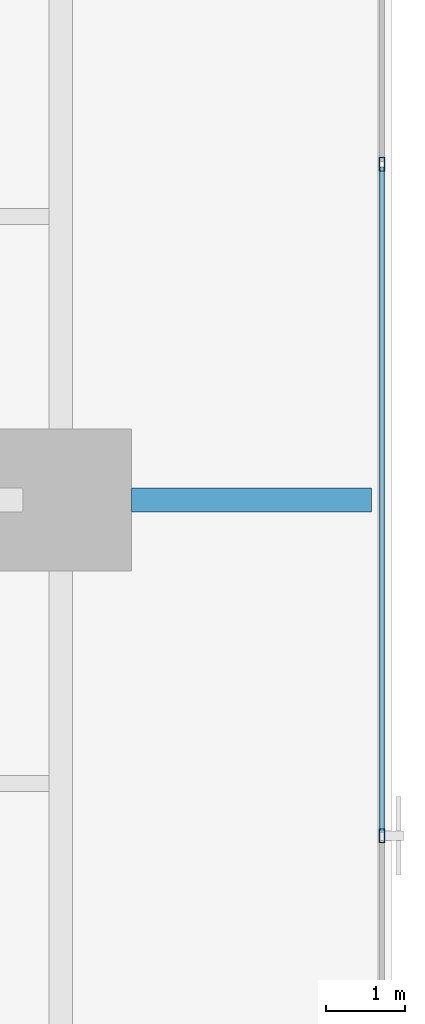
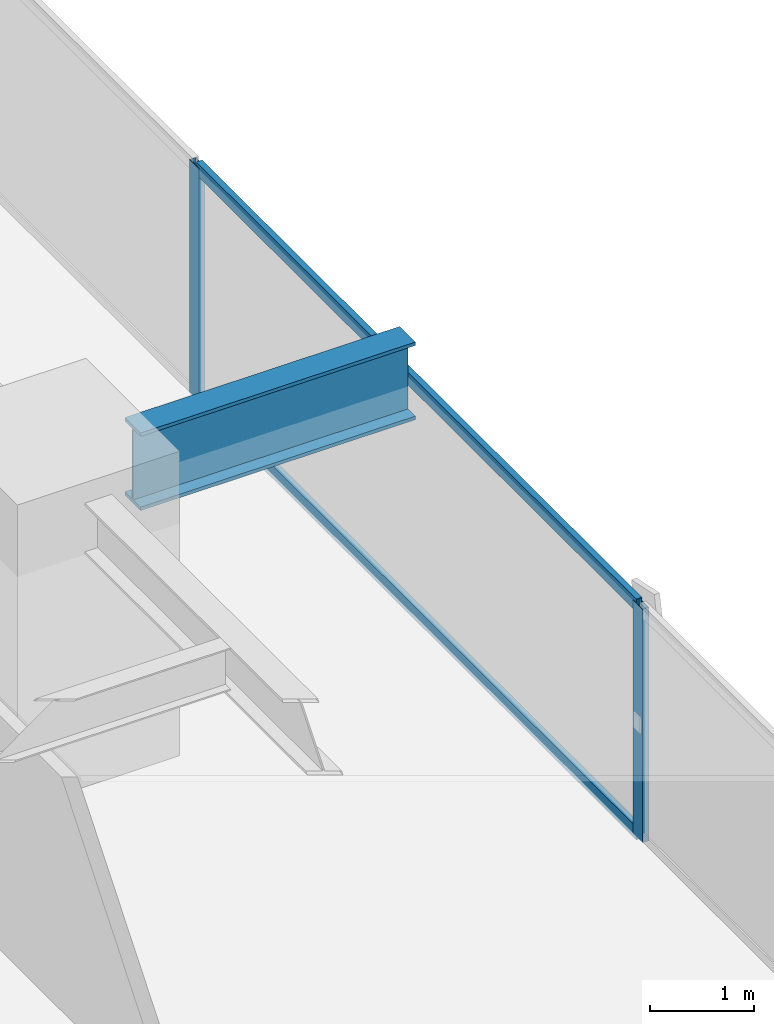
# One storey, part 15 of 34: 4 members, 1 beam, 1 element without a shape of its own.
"""IFC4 building model written with IfcOpenShell, lengths in metres."""

from ifc_helpers import new_model, si_unit, direction, frame, origin, origin_2d, place, context, subcontext, project, spatial, hollow_rectangle, i_section, extrude, source, transform, mapped, material, layer, layer_set, material_profile, profile_set, type_object, element, aggregate, save


model = new_model("IFC4")

# Units and contexts
model_context = context("Model", 3, precision=1e-05, world=origin(), true_north=direction((0.0, 1.0)))
body_context = subcontext(model_context, "Body", "Model", "MODEL_VIEW")
ifc_project = project(units=[si_unit("LENGTHUNIT", "METRE"), si_unit("AREAUNIT", "SQUARE_METRE"), si_unit("VOLUMEUNIT", "CUBIC_METRE"), si_unit("PLANEANGLEUNIT", "RADIAN"), si_unit("MASSUNIT", "GRAM", prefix="KILO")], contexts=[model_context])

# Site, building, storey
site_placement = place(None, origin())
site = spatial("IfcSite", under=ifc_project, at=site_placement, CompositionType="ELEMENT")
building_placement = place(site_placement, origin())
building = spatial("IfcBuilding", under=site, at=building_placement, Name="Sumidabori Civic Tower", CompositionType="ELEMENT")
storey_placement = place(building_placement, frame((0.0, 0.0, 41.60009765625)))
storey = spatial("IfcBuildingStorey", under=building, at=storey_placement, Name="L10", CompositionType="ELEMENT", Elevation=41.60009765625)

# Beam
ifc_material_1 = material(Name="Steel SN490", Category="steel")
ifc_material_profile_1 = material_profile(ifc_material_1, i_section(OverallWidth=0.302001953125, OverallDepth=0.909912109375, WebThickness=0.02099609375, FlangeThickness=0.0400390625, at=origin_2d()), Name="HE 900 M")
ifc_profile_set_1 = profile_set([ifc_material_profile_1], Name="Steel SN490")
beam_type = type_object("IfcBeamType", Name="BM-Z1-EDGE", PredefinedType="SPANDREL", material=ifc_profile_set_1)
shared_shape_1 = source(origin(), body_context, "Body", "SweptSolid", [
    extrude(i_section(OverallWidth=0.302001953125, OverallDepth=0.909912109375, WebThickness=0.02099609375, FlangeThickness=0.0400390625, at=origin_2d()), origin(), (0.0, 0.0, 1.0), 3.050048828125),
])
beam_placement = place(storey_placement, frame((23.699951171875, 0.0, 2.90478515625), z_axis=(1.0, 0.0, 0.0), x_axis=(0.0, 1.0, 0.0)))
element("IfcBeam", 1, at=beam_placement, inside=storey, type_object=beam_type, Name="Perimeter Overhang Beam L10 E-45", PredefinedType="SPANDREL", context=body_context, shape_type="MappedRepresentation", body=[
    mapped(shared_shape_1, transform((0.0, 0.0, 0.0), x_axis=(1.0, 0.0, 0.0), y_axis=(0.0, 1.0, 0.0), z_axis=(0.0, 0.0, 1.0), scale=1.0)),
])

# Curtain wall, members
ifc_material_2 = material(Name="Anodised Bronze Aluminium AW-6063-T6", Category="aluminium")
ifc_layer = layer(ifc_material_2, 0.179931640625, Name="Anodised Bronze Aluminium AW-6063-T6")
ifc_layer_set = layer_set([ifc_layer], Name="Anodised Bronze Aluminium AW-6063-T6")
curtain_wall_type = type_object("IfcCurtainWallType", Name="CW-SYS-2", PredefinedType="NOTDEFINED", material=ifc_layer_set)
curtain_wall_placement = place(storey_placement, origin())
curtain_wall = element("IfcCurtainWall", 2, at=curtain_wall_placement, inside=storey, type_object=curtain_wall_type, Name="Curtain Wall CW:L10:R04", PredefinedType="NOTDEFINED")
ifc_material_profile_2 = material_profile(ifc_material_2, hollow_rectangle(XDim=0.070068359375, YDim=0.179931640625, WallThickness=0.006103515625, at=origin_2d()), Name="ALU MULLION 180x70")
ifc_profile_set_2 = profile_set([ifc_material_profile_2], Name="Anodised Bronze Aluminium AW-6063-T6")
member_type_1 = type_object("IfcMemberType", Name="CW-MUL-180", PredefinedType="MULLION", material=ifc_profile_set_2)
shared_shape_2 = source(origin(), body_context, "Body", "SweptSolid", [
    extrude(hollow_rectangle(XDim=0.070068359375, YDim=0.179931640625, WallThickness=0.006103515625, at=origin_2d()), origin(), (0.0, 0.0, 1.0), 2.739990234375),
])
member_1_placement = place(storey_placement, frame((26.8798828125, -4.263916015625, 0.0), z_axis=(0.0, 0.0, 1.0), x_axis=(-1.0, 0.0, 0.0)))
member_1 = element("IfcMember", 3, at=member_1_placement, type_object=member_type_1, Name="CW-2 mullion 3", PredefinedType="MULLION", context=body_context, shape_type="MappedRepresentation", body=[
    mapped(shared_shape_2, transform((0.0, 0.0, 0.0), x_axis=(1.0, 0.0, 0.0), y_axis=(0.0, 1.0, 0.0), z_axis=(0.0, 0.0, 1.0), scale=1.0)),
])
member_2_placement = place(storey_placement, frame((26.8798828125, 4.263916015625, 0.0), z_axis=(0.0, 0.0, 1.0), x_axis=(-1.0, 0.0, 0.0)))
member_2 = element("IfcMember", 4, at=member_2_placement, type_object=member_type_1, Name="CW-2 mullion 4", PredefinedType="MULLION", context=body_context, shape_type="MappedRepresentation", body=[
    mapped(shared_shape_2, transform((0.0, 0.0, 0.0), x_axis=(1.0, 0.0, 0.0), y_axis=(0.0, 1.0, 0.0), z_axis=(0.0, 0.0, 1.0), scale=1.0)),
])
ifc_material_profile_3 = material_profile(ifc_material_2, hollow_rectangle(XDim=0.06494140625, YDim=0.14990234375, WallThickness=0.0048828125, at=origin_2d()), Name="ALU TRANSOM 150x65")
ifc_profile_set_3 = profile_set([ifc_material_profile_3], Name="Anodised Bronze Aluminium AW-6063-T6")
member_type_2 = type_object("IfcMemberType", Name="CW-TRN-150", PredefinedType="USERDEFINED", material=ifc_profile_set_3)
shared_shape_3 = source(origin(), body_context, "Body", "SweptSolid", [
    extrude(hollow_rectangle(XDim=0.06494140625, YDim=0.14990234375, WallThickness=0.0048828125, at=origin_2d()), origin(), (0.0, 0.0, 1.0), 8.4580078125),
])
member_3_placement = place(storey_placement, frame((26.8798828125, -4.22900390625, 0.032470703125), z_axis=(0.0, 1.0, 0.0), x_axis=(-1.0, 0.0, 0.0)))
member_3 = element("IfcMember", 5, at=member_3_placement, type_object=member_type_2, Name="CW-2 transom 3.1", ObjectType="TRANSOM", PredefinedType="USERDEFINED", context=body_context, shape_type="MappedRepresentation", body=[
    mapped(shared_shape_3, transform((0.0, 0.0, 0.0), x_axis=(1.0, 0.0, 0.0), y_axis=(0.0, 1.0, 0.0), z_axis=(0.0, 0.0, 1.0), scale=1.0)),
])
member_4_placement = place(storey_placement, frame((26.8798828125, -4.22900390625, 2.70751953125), z_axis=(0.0, 1.0, 0.0), x_axis=(-1.0, 0.0, 0.0)))
member_4 = element("IfcMember", 6, at=member_4_placement, type_object=member_type_2, Name="CW-2 transom 3.2", ObjectType="TRANSOM", PredefinedType="USERDEFINED", context=body_context, shape_type="MappedRepresentation", body=[
    mapped(shared_shape_3, transform((0.0, 0.0, 0.0), x_axis=(1.0, 0.0, 0.0), y_axis=(0.0, 1.0, 0.0), z_axis=(0.0, 0.0, 1.0), scale=1.0)),
])
aggregate(curtain_wall, [member_1, member_2, member_3, member_4])

save(model, "model.ifc")
